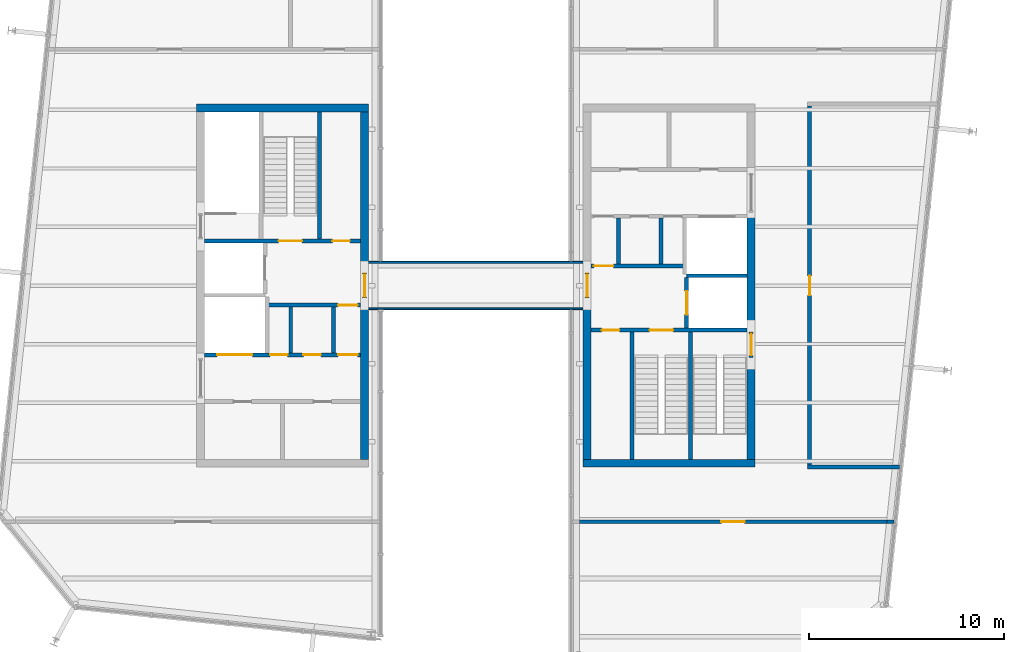
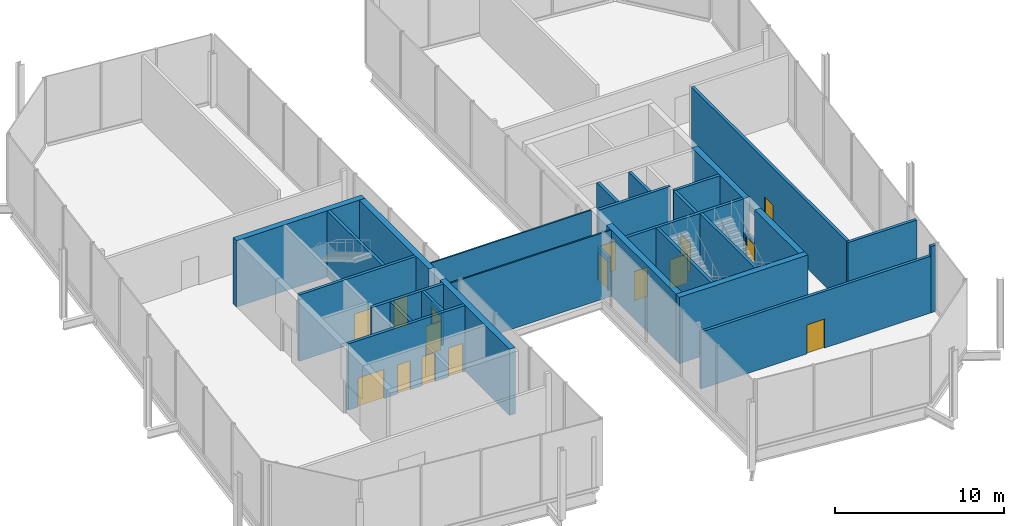
# One storey, part 9 of 12: 30 walls, 16 doors, 16 openings.
"""IFC4 building model written with IfcOpenShell, lengths in metres."""

from ifc_helpers import new_model, si_unit, direction, frame, frame_2d, origin, place, context, subcontext, project, spatial, rectangle, extrude, material, layer, layer_set, type_object, element, fill, save


model = new_model("IFC4")

# Units and contexts
model_context = context("Model", 3, precision=1e-05, world=origin(), true_north=direction((0.0, 1.0)))
body_context = subcontext(model_context, "Body", "Model", "MODEL_VIEW")
ifc_project = project(units=[si_unit("LENGTHUNIT", "METRE"), si_unit("AREAUNIT", "SQUARE_METRE"), si_unit("VOLUMEUNIT", "CUBIC_METRE"), si_unit("PLANEANGLEUNIT", "RADIAN"), si_unit("MASSUNIT", "GRAM", prefix="KILO")], contexts=[model_context])

# Site, building, storey
site_placement = place(None, origin())
site = spatial("IfcSite", under=ifc_project, at=site_placement, CompositionType="ELEMENT")
building_placement = place(site_placement, origin())
building = spatial("IfcBuilding", under=site, at=building_placement, Name="Millrace Tower", CompositionType="ELEMENT")
storey_placement = place(building_placement, frame((0.0, 0.0, 347.10009765625)))
storey = spatial("IfcBuildingStorey", under=building, at=storey_placement, Name="L80", CompositionType="ELEMENT", Elevation=347.10009765625)

# Walls
ifc_material_1 = material(Name="Concrete C60", Category="concrete")
ifc_layer_1 = layer(ifc_material_1, 0.39990234375)
ifc_layer_set_1 = layer_set([ifc_layer_1], Name="Concrete C60")
wall_type_1 = type_object("IfcWallType", Name="Core wall 400 Concrete C60", PredefinedType="SHEAR", material=ifc_layer_set_1)
wall_1_placement = place(storey_placement, frame((-14.300048828125, 9.10009765625, 0.0), z_axis=(0.0, 0.0, 1.0), x_axis=(1.0, 0.0, 0.0)))
element("IfcWall", 1, at=wall_1_placement, inside=storey, type_object=wall_type_1, Name="Core wall W L80", PredefinedType="SHEAR", context=body_context, shape_type="SweptSolid", body=[
    extrude(rectangle(XDim=8.800048828125, YDim=0.39990234375, at=frame_2d((4.39990234375, 0.0))), origin(), (0.0, 0.0, 1.0), 4.7998046875),
])
for number, where, z_axis, x_axis, name in (
    (2, (-5.699951171875, -8.89990234375, 0.0), (0.0, 0.0, 1.0), (0.0, 1.0, 0.0), "Core wall W L80"),
    (3, (-5.699951171875, 0.64990234375, 0.0), (0.0, 0.0, 1.0), (0.0, 1.0, 0.0), "Core wall W L80"),
):
    element("IfcWall", number, at=place(storey_placement, frame(where, z_axis=z_axis, x_axis=x_axis)), inside=storey, type_object=wall_type_1, Name=name, PredefinedType="SHEAR", context=body_context, shape_type="SweptSolid", body=[
        extrude(rectangle(XDim=8.25, YDim=0.39990234375, at=frame_2d((4.125, 0.0))), origin(), (0.0, 0.0, 1.0), 4.7998046875),
    ])
wall_2_placement = place(storey_placement, frame((14.300048828125, -9.10009765625, 0.0), z_axis=(0.0, 0.0, 1.0), x_axis=(-1.0, 0.0, 0.0)))
element("IfcWall", 4, at=wall_2_placement, inside=storey, type_object=wall_type_1, Name="Core wall E L80", PredefinedType="SHEAR", context=body_context, shape_type="SweptSolid", body=[
    extrude(rectangle(XDim=8.800048828125, YDim=0.39990234375, at=frame_2d((4.39990234375, 0.0))), origin(), (0.0, 0.0, 1.0), 4.7998046875),
])
wall_3_placement = place(storey_placement, frame((14.10009765625, 3.75, 0.0), z_axis=(0.0, 0.0, 1.0), x_axis=(0.0, -1.0, 0.0)))
element("IfcWall", 5, at=wall_3_placement, inside=storey, type_object=wall_type_1, Name="Core wall E L80", PredefinedType="SHEAR", context=body_context, shape_type="SweptSolid", body=[
    extrude(rectangle(XDim=6.1298828125, YDim=0.39990234375, at=frame_2d((3.06494140625, 0.0))), origin(), (0.0, 0.0, 1.0), 4.7998046875),
])
wall_4_placement = place(storey_placement, frame((14.10009765625, -3.679931640625, 0.0), z_axis=(0.0, 0.0, 1.0), x_axis=(0.0, -1.0, 0.0)))
element("IfcWall", 6, at=wall_4_placement, inside=storey, type_object=wall_type_1, Name="Core wall E L80", PredefinedType="SHEAR", context=body_context, shape_type="SweptSolid", body=[
    extrude(rectangle(XDim=5.219970703125, YDim=0.39990234375, at=frame_2d((2.60986328125, 0.0))), origin(), (0.0, 0.0, 1.0), 4.7998046875),
])
wall_5_placement = place(storey_placement, frame((5.699951171875, -0.64990234375, 0.0), z_axis=(0.0, 0.0, 1.0), x_axis=(0.0, -1.0, 0.0)))
element("IfcWall", 7, at=wall_5_placement, inside=storey, type_object=wall_type_1, Name="Core wall E L80", PredefinedType="SHEAR", context=body_context, shape_type="SweptSolid", body=[
    extrude(rectangle(XDim=8.25, YDim=0.39990234375, at=frame_2d((4.125, 0.0))), origin(), (0.0, 0.0, 1.0), 4.7998046875),
])

# Wall, opening, door
ifc_material_2 = material(Name="Masonry partition, fire-rated", Category="masonry")
ifc_layer_2 = layer(ifc_material_2, 0.199951171875)
ifc_layer_set_2 = layer_set([ifc_layer_2], Name="Masonry partition, fire-rated")
wall_type_2 = type_object("IfcWallType", Name="Corridor wall 200", PredefinedType="PARTITIONING", material=ifc_layer_set_2)
wall_6_placement = place(storey_placement, frame((5.307373046875, -12.10009765625, 0.0), z_axis=(0.0, 0.0, 1.0), x_axis=(1.0, 0.0, 0.0)))
wall_6 = element("IfcWall", 8, at=wall_6_placement, inside=storey, type_object=wall_type_2, Name="Corridor wall L80", PredefinedType="PARTITIONING", context=body_context, shape_type="SweptSolid", body=[
    extrude(rectangle(XDim=15.740478515625, YDim=0.199951171875, at=frame_2d((7.8701171875, 0.0))), origin(), (0.0, 0.0, 1.0), 4.1064453125),
])
opening_1_placement = place(wall_6_placement, frame((7.265869140625, 0.0, 0.0)))
opening_1 = element("IfcOpeningElement", 9, at=opening_1_placement, cuts=wall_6, Name="Opening 80-P007", PredefinedType="OPENING", context=body_context, shape_type="SweptSolid", body=[
    extrude(rectangle(XDim=1.199951171875, YDim=2.10009765625, at=frame_2d((0.60009765625, 1.050048828125))), frame((0.0, 0.10986328125, 0.0), z_axis=(0.0, -1.0, 0.0), x_axis=(1.0, 0.0, 0.0)), (0.0, 0.0, 1.0), 0.219970703125),
])
ifc_material_3 = material(Name="Steel door set, fire-rated", Category="steel")
door_type_1 = type_object("IfcDoorType", Name="Plant room door 1200 x 2100", OperationType="SINGLE_SWING_LEFT", PredefinedType="DOOR", material=ifc_material_3)
door_1_placement = place(opening_1_placement, frame((1.199951171875, 0.0, 0.0), z_axis=(0.0, 0.0, 1.0), x_axis=(-1.0, 0.0, 0.0)))
door_1 = element("IfcDoor", 10, at=door_1_placement, inside=storey, type_object=door_type_1, Name="Door 80-P007", OperationType="SINGLE_SWING_RIGHT", OverallHeight=2.10009765625, OverallWidth=1.199951171875, PredefinedType="DOOR", context=body_context, shape_type="SweptSolid", body=[
    extrude(rectangle(XDim=1.199951171875, YDim=2.10009765625, at=frame_2d((0.60009765625, 1.050048828125))), frame((0.0, 0.02490234375, 0.0), z_axis=(0.0, -1.0, 0.0), x_axis=(1.0, 0.0, 0.0)), (0.0, 0.0, 1.0), 0.050048828125),
])
fill(opening_1, door_1)

# Walls
wall_7_placement = place(storey_placement, frame((21.0478515625, -12.10009765625, 0.0), z_axis=(0.0, 0.0, 1.0), x_axis=(1.0, 0.0, 0.0)))
element("IfcWall", 11, at=wall_7_placement, inside=storey, type_object=wall_type_2, Name="Corridor wall L80", PredefinedType="PARTITIONING", context=body_context, shape_type="SweptSolid", body=[
    extrude(rectangle(XDim=0.35888671875, YDim=0.199951171875, at=frame_2d((0.179443359375, 0.0))), origin(), (0.0, 0.0, 1.0), 4.7998046875),
])
wall_8_placement = place(storey_placement, frame((17.0, -9.300048828125, 0.0), z_axis=(0.0, 0.0, 1.0), x_axis=(1.0, 0.0, 0.0)))
element("IfcWall", 12, at=wall_8_placement, inside=storey, type_object=wall_type_2, Name="Corridor wall L80", PredefinedType="PARTITIONING", context=body_context, shape_type="SweptSolid", body=[
    extrude(rectangle(XDim=4.700927734375, YDim=0.199951171875, at=frame_2d((2.3505859375, 0.0))), origin(), (0.0, 0.0, 1.0), 4.7998046875),
])

# Wall, opening, door
wall_9_placement = place(storey_placement, frame((17.10009765625, -9.199951171875, 0.0), z_axis=(0.0, 0.0, 1.0), x_axis=(0.0, 1.0, 0.0)))
wall_9 = element("IfcWall", 13, at=wall_9_placement, inside=storey, type_object=wall_type_2, Name="Corridor wall L80", PredefinedType="PARTITIONING", context=body_context, shape_type="SweptSolid", body=[
    extrude(rectangle(XDim=18.39990234375, YDim=0.199951171875, at=frame_2d((9.199951171875, 0.0))), origin(), (0.0, 0.0, 1.0), 4.7998046875),
])
opening_2_placement = place(wall_9_placement, frame((8.699951171875, 0.0, 0.0)))
opening_2 = element("IfcOpeningElement", 14, at=opening_2_placement, cuts=wall_9, Name="Opening 80-P006", PredefinedType="OPENING", context=body_context, shape_type="SweptSolid", body=[
    extrude(rectangle(XDim=1.0, YDim=2.10009765625, at=frame_2d((0.5, 1.050048828125))), frame((0.0, 0.10986328125, 0.0), z_axis=(0.0, -1.0, 0.0), x_axis=(1.0, 0.0, 0.0)), (0.0, 0.0, 1.0), 0.219970703125),
])
ifc_material_4 = material(Name="Steel door set, fire-rated", Category="steel")
door_type_2 = type_object("IfcDoorType", Name="Corridor door 1000 x 2100", OperationType="SINGLE_SWING_LEFT", PredefinedType="DOOR", material=ifc_material_4)
door_2_placement = place(opening_2_placement, frame((1.0, 0.0, 0.0), z_axis=(0.0, 0.0, 1.0), x_axis=(-1.0, 0.0, 0.0)))
door_2 = element("IfcDoor", 15, at=door_2_placement, inside=storey, type_object=door_type_2, Name="Door 80-P006", OperationType="SINGLE_SWING_RIGHT", OverallHeight=2.10009765625, OverallWidth=1.0, PredefinedType="DOOR", context=body_context, shape_type="SweptSolid", body=[
    extrude(rectangle(XDim=1.0, YDim=2.10009765625, at=frame_2d((0.5, 1.050048828125))), frame((0.0, 0.02490234375, 0.0), z_axis=(0.0, -1.0, 0.0), x_axis=(1.0, 0.0, 0.0)), (0.0, 0.0, 1.0), 0.050048828125),
])
fill(opening_2, door_2)

# Walls
ifc_material_5 = material(Name="Fire-resistant glazing", Category="glass")
ifc_layer_3 = layer(ifc_material_5, 0.10009765625)
ifc_layer_set_3 = layer_set([ifc_layer_3], Name="Fire-resistant glazing")
wall_type_3 = type_object("IfcWallType", Name="Glazed fire screen 100", PredefinedType="PARTITIONING", material=ifc_layer_set_3)
for number, where, z_axis, x_axis, name in (
    (16, (-5.5, -1.18994140625, 0.0), (0.0, 0.0, 1.0), (1.0, 0.0, 0.0), "Crown link glazed wall L80"),
    (17, (-5.5, 1.18994140625, 0.0), (0.0, 0.0, 1.0), (1.0, 0.0, 0.0), "Crown link glazed wall L80"),
):
    element("IfcWall", number, at=place(storey_placement, frame(where, z_axis=z_axis, x_axis=x_axis)), inside=storey, type_object=wall_type_3, Name=name, PredefinedType="PARTITIONING", context=body_context, shape_type="SweptSolid", body=[
        extrude(rectangle(XDim=11.0, YDim=0.10009765625, at=frame_2d((5.5, 0.0))), origin(), (0.0, 0.0, 1.0), 4.7998046875),
    ])

# Wall, openings, doors
ifc_material_6 = material(Name="Masonry partition, fire-rated", Category="masonry")
ifc_layer_4 = layer(ifc_material_6, 0.199951171875)
ifc_layer_set_4 = layer_set([ifc_layer_4], Name="Masonry partition, fire-rated")
wall_type_4 = type_object("IfcWallType", Name="Lift shaft wall 200", PredefinedType="PARTITIONING", material=ifc_layer_set_4)
wall_10_placement = place(storey_placement, frame((-13.89990234375, -3.550048828125, 0.0), z_axis=(0.0, 0.0, 1.0), x_axis=(1.0, 0.0, 0.0)))
wall_10 = element("IfcWall", 18, at=wall_10_placement, inside=storey, type_object=wall_type_4, Name="Lift shaft wall W L80", PredefinedType="PARTITIONING", context=body_context, shape_type="SweptSolid", body=[
    extrude(rectangle(XDim=8.0, YDim=0.199951171875, at=frame_2d((4.0, 0.0))), origin(), (0.0, 0.0, 1.0), 4.7998046875),
])
opening_3_placement = place(wall_10_placement, frame((0.64990234375, 0.0, 0.0)))
opening_3 = element("IfcOpeningElement", 19, at=opening_3_placement, cuts=wall_10, Name="Opening 80-LD05", PredefinedType="OPENING", context=body_context, shape_type="SweptSolid", body=[
    extrude(rectangle(XDim=1.800048828125, YDim=2.10009765625, at=frame_2d((0.89990234375, 1.050048828125))), frame((0.0, 0.10986328125, 0.0), z_axis=(0.0, -1.0, 0.0), x_axis=(1.0, 0.0, 0.0)), (0.0, 0.0, 1.0), 0.219970703125),
])
opening_4_placement = place(wall_10_placement, frame((3.360107421875, 0.0, 0.0)))
opening_4 = element("IfcOpeningElement", 20, at=opening_4_placement, cuts=wall_10, Name="Opening 80-C006", PredefinedType="OPENING", context=body_context, shape_type="SweptSolid", body=[
    extrude(rectangle(XDim=0.89990234375, YDim=2.10009765625, at=frame_2d((0.449951171875, 1.050048828125))), frame((0.0, 0.10986328125, 0.0), z_axis=(0.0, -1.0, 0.0), x_axis=(1.0, 0.0, 0.0)), (0.0, 0.0, 1.0), 0.219970703125),
])
opening_5_placement = place(wall_10_placement, frame((5.06005859375, 0.0, 0.0)))
opening_5 = element("IfcOpeningElement", 21, at=opening_5_placement, cuts=wall_10, Name="Opening 80-C007", PredefinedType="OPENING", context=body_context, shape_type="SweptSolid", body=[
    extrude(rectangle(XDim=0.89990234375, YDim=2.10009765625, at=frame_2d((0.449951171875, 1.050048828125))), frame((0.0, 0.10986328125, 0.0), z_axis=(0.0, -1.0, 0.0), x_axis=(1.0, 0.0, 0.0)), (0.0, 0.0, 1.0), 0.219970703125),
])
opening_6_placement = place(wall_10_placement, frame((6.85009765625, 0.0, 0.0)))
opening_6 = element("IfcOpeningElement", 22, at=opening_6_placement, cuts=wall_10, Name="Opening 80-C008", PredefinedType="OPENING", context=body_context, shape_type="SweptSolid", body=[
    extrude(rectangle(XDim=1.0, YDim=2.10009765625, at=frame_2d((0.5, 1.050048828125))), frame((0.0, 0.10986328125, 0.0), z_axis=(0.0, -1.0, 0.0), x_axis=(1.0, 0.0, 0.0)), (0.0, 0.0, 1.0), 0.219970703125),
])
ifc_material_7 = material(Name="Stainless steel, fire-rated", Category="steel")
door_type_3 = type_object("IfcDoorType", Name="Lift landing door 1800 x 2100", OperationType="DOUBLE_DOOR_SLIDING", PredefinedType="DOOR", material=ifc_material_7)
door_3_placement = place(opening_3_placement, origin())
door_3 = element("IfcDoor", 23, at=door_3_placement, inside=storey, type_object=door_type_3, Name="Lift landing door LF5 L80", OperationType="DOUBLE_DOOR_SLIDING", OverallHeight=2.10009765625, OverallWidth=1.800048828125, PredefinedType="DOOR", context=body_context, shape_type="SweptSolid", body=[
    extrude(rectangle(XDim=1.800048828125, YDim=2.10009765625, at=frame_2d((0.89990234375, 1.050048828125))), frame((0.0, 0.02490234375, 0.0), z_axis=(0.0, -1.0, 0.0), x_axis=(1.0, 0.0, 0.0)), (0.0, 0.0, 1.0), 0.050048828125),
])
fill(opening_3, door_3)
ifc_material_8 = material(Name="Steel door, fire-rated", Category="steel")
door_type_4 = type_object("IfcDoorType", Name="Lobby door 1000 x 2100", OperationType="SINGLE_SWING_LEFT", PredefinedType="DOOR", material=ifc_material_8)
door_4_placement = place(opening_6_placement, origin())
door_4 = element("IfcDoor", 24, at=door_4_placement, inside=storey, type_object=door_type_4, Name="Lobby door 80-C008", OperationType="SINGLE_SWING_LEFT", OverallHeight=2.10009765625, OverallWidth=1.0, PredefinedType="DOOR", context=body_context, shape_type="SweptSolid", body=[
    extrude(rectangle(XDim=1.0, YDim=2.10009765625, at=frame_2d((0.5, 1.050048828125))), frame((0.0, 0.02490234375, 0.0), z_axis=(0.0, -1.0, 0.0), x_axis=(1.0, 0.0, 0.0)), (0.0, 0.0, 1.0), 0.050048828125),
])
fill(opening_6, door_4)
ifc_material_9 = material(Name="Steel door, fire-rated", Category="steel")
door_type_5 = type_object("IfcDoorType", Name="Service room door 900 x 2100", OperationType="SINGLE_SWING_LEFT", PredefinedType="DOOR", material=ifc_material_9)
door_5_placement = place(opening_4_placement, origin())
door_5 = element("IfcDoor", 25, at=door_5_placement, inside=storey, type_object=door_type_5, Name="Service room door 80-C006", OperationType="SINGLE_SWING_LEFT", OverallHeight=2.10009765625, OverallWidth=0.89990234375, PredefinedType="DOOR", context=body_context, shape_type="SweptSolid", body=[
    extrude(rectangle(XDim=0.89990234375, YDim=2.10009765625, at=frame_2d((0.449951171875, 1.050048828125))), frame((0.0, 0.02490234375, 0.0), z_axis=(0.0, -1.0, 0.0), x_axis=(1.0, 0.0, 0.0)), (0.0, 0.0, 1.0), 0.050048828125),
])
fill(opening_4, door_5)
door_6_placement = place(opening_5_placement, origin())
door_6 = element("IfcDoor", 26, at=door_6_placement, inside=storey, type_object=door_type_5, Name="Service room door 80-C007", OperationType="SINGLE_SWING_RIGHT", OverallHeight=2.10009765625, OverallWidth=0.89990234375, PredefinedType="DOOR", context=body_context, shape_type="SweptSolid", body=[
    extrude(rectangle(XDim=0.89990234375, YDim=2.10009765625, at=frame_2d((0.449951171875, 1.050048828125))), frame((0.0, 0.02490234375, 0.0), z_axis=(0.0, -1.0, 0.0), x_axis=(1.0, 0.0, 0.0)), (0.0, 0.0, 1.0), 0.050048828125),
])
fill(opening_5, door_6)

# Wall, opening, door
wall_11_placement = place(storey_placement, frame((-10.800048828125, -1.0, 0.0), z_axis=(0.0, 0.0, 1.0), x_axis=(1.0, 0.0, 0.0)))
wall_11 = element("IfcWall", 27, at=wall_11_placement, inside=storey, type_object=wall_type_4, Name="Lift shaft wall W L80", PredefinedType="PARTITIONING", context=body_context, shape_type="SweptSolid", body=[
    extrude(rectangle(XDim=4.900146484375, YDim=0.199951171875, at=frame_2d((2.4501953125, 0.0))), origin(), (0.0, 0.0, 1.0), 4.7998046875),
])
opening_7_placement = place(wall_11_placement, frame((3.75, 0.0, 0.0)))
opening_7 = element("IfcOpeningElement", 28, at=opening_7_placement, cuts=wall_11, Name="Opening 80-C009", PredefinedType="OPENING", context=body_context, shape_type="SweptSolid", body=[
    extrude(rectangle(XDim=1.0, YDim=2.10009765625, at=frame_2d((0.5, 1.050048828125))), frame((0.0, 0.10986328125, 0.0), z_axis=(0.0, -1.0, 0.0), x_axis=(1.0, 0.0, 0.0)), (0.0, 0.0, 1.0), 0.219970703125),
])
door_7_placement = place(opening_7_placement, origin())
door_7 = element("IfcDoor", 29, at=door_7_placement, inside=storey, type_object=door_type_4, Name="Lobby door 80-C009", OperationType="SINGLE_SWING_LEFT", OverallHeight=2.10009765625, OverallWidth=1.0, PredefinedType="DOOR", context=body_context, shape_type="SweptSolid", body=[
    extrude(rectangle(XDim=1.0, YDim=2.10009765625, at=frame_2d((0.5, 1.050048828125))), frame((0.0, 0.02490234375, 0.0), z_axis=(0.0, -1.0, 0.0), x_axis=(1.0, 0.0, 0.0)), (0.0, 0.0, 1.0), 0.050048828125),
])
fill(opening_7, door_7)

# Walls
wall_12_placement = place(storey_placement, frame((-7.300048828125, -3.449951171875, 0.0), z_axis=(0.0, 0.0, 1.0), x_axis=(0.0, 1.0, 0.0)))
element("IfcWall", 30, at=wall_12_placement, inside=storey, type_object=wall_type_4, Name="Lift shaft wall W L80", PredefinedType="PARTITIONING", context=body_context, shape_type="SweptSolid", body=[
    extrude(rectangle(XDim=2.349853515625, YDim=0.199951171875, at=frame_2d((1.1748046875, 0.0))), origin(), (0.0, 0.0, 1.0), 4.7998046875),
])
wall_13_placement = place(storey_placement, frame((13.89990234375, 0.5, 0.0), z_axis=(0.0, 0.0, 1.0), x_axis=(-1.0, 0.0, 0.0)))
element("IfcWall", 31, at=wall_13_placement, inside=storey, type_object=wall_type_4, Name="Lift shaft wall E L80", PredefinedType="PARTITIONING", context=body_context, shape_type="SweptSolid", body=[
    extrude(rectangle(XDim=3.099853515625, YDim=0.199951171875, at=frame_2d((1.5498046875, 0.0))), origin(), (0.0, 0.0, 1.0), 4.7998046875),
])

# Wall, opening, door
wall_14_placement = place(storey_placement, frame((10.800048828125, 1.0, 0.0), z_axis=(0.0, 0.0, 1.0), x_axis=(-1.0, 0.0, 0.0)))
wall_14 = element("IfcWall", 32, at=wall_14_placement, inside=storey, type_object=wall_type_4, Name="Lift shaft wall E L80", PredefinedType="PARTITIONING", context=body_context, shape_type="SweptSolid", body=[
    extrude(rectangle(XDim=4.900146484375, YDim=0.199951171875, at=frame_2d((2.4501953125, 0.0))), origin(), (0.0, 0.0, 1.0), 4.7998046875),
])
opening_8_placement = place(wall_14_placement, frame((3.75, 0.0, 0.0)))
opening_8 = element("IfcOpeningElement", 33, at=opening_8_placement, cuts=wall_14, Name="Opening 80-C020", PredefinedType="OPENING", context=body_context, shape_type="SweptSolid", body=[
    extrude(rectangle(XDim=1.0, YDim=2.10009765625, at=frame_2d((0.5, 1.050048828125))), frame((0.0, 0.10986328125, 0.0), z_axis=(0.0, -1.0, 0.0), x_axis=(1.0, 0.0, 0.0)), (0.0, 0.0, 1.0), 0.219970703125),
])
door_8_placement = place(opening_8_placement, origin())
door_8 = element("IfcDoor", 34, at=door_8_placement, inside=storey, type_object=door_type_4, Name="Lobby door 80-C020", OperationType="SINGLE_SWING_LEFT", OverallHeight=2.10009765625, OverallWidth=1.0, PredefinedType="DOOR", context=body_context, shape_type="SweptSolid", body=[
    extrude(rectangle(XDim=1.0, YDim=2.10009765625, at=frame_2d((0.5, 1.050048828125))), frame((0.0, 0.02490234375, 0.0), z_axis=(0.0, -1.0, 0.0), x_axis=(1.0, 0.0, 0.0)), (0.0, 0.0, 1.0), 0.050048828125),
])
fill(opening_8, door_8)

wall_15_placement = place(storey_placement, frame((10.800048828125, 0.39990234375, 0.0), z_axis=(0.0, 0.0, 1.0), x_axis=(0.0, -1.0, 0.0)))
wall_15 = element("IfcWall", 35, at=wall_15_placement, inside=storey, type_object=wall_type_4, Name="Lift shaft wall E L80", PredefinedType="PARTITIONING", context=body_context, shape_type="SweptSolid", body=[
    extrude(rectangle(XDim=2.579833984375, YDim=0.199951171875, at=frame_2d((1.2900390625, 0.0))), origin(), (0.0, 0.0, 1.0), 4.7998046875),
])
opening_9_placement = place(wall_15_placement, frame((0.68994140625, 0.0, 0.0)))
opening_9 = element("IfcOpeningElement", 36, at=opening_9_placement, cuts=wall_15, Name="Opening 80-LD16", PredefinedType="OPENING", context=body_context, shape_type="SweptSolid", body=[
    extrude(rectangle(XDim=1.199951171875, YDim=2.10009765625, at=frame_2d((0.60009765625, 1.050048828125))), frame((0.0, 0.10986328125, 0.0), z_axis=(0.0, -1.0, 0.0), x_axis=(1.0, 0.0, 0.0)), (0.0, 0.0, 1.0), 0.219970703125),
])
ifc_material_10 = material(Name="Stainless steel, fire-rated", Category="steel")
door_type_6 = type_object("IfcDoorType", Name="Lift landing door 1200 x 2100", OperationType="DOUBLE_DOOR_SLIDING", PredefinedType="DOOR", material=ifc_material_10)
door_9_placement = place(opening_9_placement, origin())
door_9 = element("IfcDoor", 37, at=door_9_placement, inside=storey, type_object=door_type_6, Name="Lift landing door LF16 L80", OperationType="DOUBLE_DOOR_SLIDING", OverallHeight=2.10009765625, OverallWidth=1.199951171875, PredefinedType="DOOR", context=body_context, shape_type="SweptSolid", body=[
    extrude(rectangle(XDim=1.199951171875, YDim=2.10009765625, at=frame_2d((0.60009765625, 1.050048828125))), frame((0.0, 0.02490234375, 0.0), z_axis=(0.0, -1.0, 0.0), x_axis=(1.0, 0.0, 0.0)), (0.0, 0.0, 1.0), 0.050048828125),
])
fill(opening_9, door_9)

# Wall
wall_16_placement = place(storey_placement, frame((7.300048828125, 3.449951171875, 0.0), z_axis=(0.0, 0.0, 1.0), x_axis=(0.0, -1.0, 0.0)))
element("IfcWall", 38, at=wall_16_placement, inside=storey, type_object=wall_type_4, Name="Lift shaft wall E L80", PredefinedType="PARTITIONING", context=body_context, shape_type="SweptSolid", body=[
    extrude(rectangle(XDim=2.349853515625, YDim=0.199951171875, at=frame_2d((1.1748046875, 0.0))), origin(), (0.0, 0.0, 1.0), 4.7998046875),
])

# Wall, opening, door
ifc_material_11 = material(Name="Masonry partition, fire-rated", Category="masonry")
ifc_layer_5 = layer(ifc_material_11, 0.199951171875)
ifc_layer_set_5 = layer_set([ifc_layer_5], Name="Masonry partition, fire-rated")
wall_type_5 = type_object("IfcWallType", Name="Lobby wall 200", PredefinedType="PARTITIONING", material=ifc_layer_set_5)
wall_17_placement = place(storey_placement, frame((-5.699951171875, -0.64990234375, 0.0), z_axis=(0.0, 0.0, 1.0), x_axis=(0.0, 1.0, 0.0)))
wall_17 = element("IfcWall", 39, at=wall_17_placement, inside=storey, type_object=wall_type_5, Name="Lobby wall W L80", PredefinedType="PARTITIONING", context=body_context, shape_type="SweptSolid", body=[
    extrude(rectangle(XDim=1.2998046875, YDim=0.199951171875, at=frame_2d((0.64990234375, 0.0))), origin(), (0.0, 0.0, 1.0), 2.39990234375),
])
opening_10_placement = place(wall_17_placement, frame((0.050048828125, 0.0, 0.0)))
opening_10 = element("IfcOpeningElement", 40, at=opening_10_placement, cuts=wall_17, Name="Opening 80-C003", PredefinedType="OPENING", context=body_context, shape_type="SweptSolid", body=[
    extrude(rectangle(XDim=1.199951171875, YDim=2.10009765625, at=frame_2d((0.60009765625, 1.050048828125))), frame((0.0, 0.10986328125, 0.0), z_axis=(0.0, -1.0, 0.0), x_axis=(1.0, 0.0, 0.0)), (0.0, 0.0, 1.0), 0.219970703125),
])
ifc_material_12 = material(Name="Steel door, fire-rated", Category="steel")
door_type_7 = type_object("IfcDoorType", Name="Lobby door 1200 x 2100", OperationType="SINGLE_SWING_LEFT", PredefinedType="DOOR", material=ifc_material_12)
door_10_placement = place(opening_10_placement, origin())
door_10 = element("IfcDoor", 41, at=door_10_placement, inside=storey, type_object=door_type_7, Name="Lobby door 80-C003", OperationType="SINGLE_SWING_LEFT", OverallHeight=2.10009765625, OverallWidth=1.199951171875, PredefinedType="DOOR", context=body_context, shape_type="SweptSolid", body=[
    extrude(rectangle(XDim=1.199951171875, YDim=2.10009765625, at=frame_2d((0.60009765625, 1.050048828125))), frame((0.0, 0.02490234375, 0.0), z_axis=(0.0, -1.0, 0.0), x_axis=(1.0, 0.0, 0.0)), (0.0, 0.0, 1.0), 0.050048828125),
])
fill(opening_10, door_10)

wall_18_placement = place(storey_placement, frame((5.699951171875, 0.64990234375, 0.0), z_axis=(0.0, 0.0, 1.0), x_axis=(0.0, -1.0, 0.0)))
wall_18 = element("IfcWall", 42, at=wall_18_placement, inside=storey, type_object=wall_type_5, Name="Lobby wall E L80", PredefinedType="PARTITIONING", context=body_context, shape_type="SweptSolid", body=[
    extrude(rectangle(XDim=1.2998046875, YDim=0.199951171875, at=frame_2d((0.64990234375, 0.0))), origin(), (0.0, 0.0, 1.0), 2.39990234375),
])
opening_11_placement = place(wall_18_placement, frame((0.050048828125, 0.0, 0.0)))
opening_11 = element("IfcOpeningElement", 43, at=opening_11_placement, cuts=wall_18, Name="Opening 80-C014", PredefinedType="OPENING", context=body_context, shape_type="SweptSolid", body=[
    extrude(rectangle(XDim=1.199951171875, YDim=2.10009765625, at=frame_2d((0.60009765625, 1.050048828125))), frame((0.0, 0.10986328125, 0.0), z_axis=(0.0, -1.0, 0.0), x_axis=(1.0, 0.0, 0.0)), (0.0, 0.0, 1.0), 0.219970703125),
])
door_11_placement = place(opening_11_placement, origin())
door_11 = element("IfcDoor", 44, at=door_11_placement, inside=storey, type_object=door_type_7, Name="Lobby door 80-C014", OperationType="SINGLE_SWING_LEFT", OverallHeight=2.10009765625, OverallWidth=1.199951171875, PredefinedType="DOOR", context=body_context, shape_type="SweptSolid", body=[
    extrude(rectangle(XDim=1.199951171875, YDim=2.10009765625, at=frame_2d((0.60009765625, 1.050048828125))), frame((0.0, 0.02490234375, 0.0), z_axis=(0.0, -1.0, 0.0), x_axis=(1.0, 0.0, 0.0)), (0.0, 0.0, 1.0), 0.050048828125),
])
fill(opening_11, door_11)

# Walls
ifc_material_13 = material(Name="Masonry partition, fire-rated", Category="masonry")
ifc_layer_6 = layer(ifc_material_13, 0.199951171875)
ifc_layer_set_6 = layer_set([ifc_layer_6], Name="Masonry partition, fire-rated")
wall_type_6 = type_object("IfcWallType", Name="Room partition 200", PredefinedType="PARTITIONING", material=ifc_layer_set_6)
for number, where, z_axis, x_axis, name in (
    (45, (-9.47998046875, -3.449951171875, 0.0), (0.0, 0.0, 1.0), (0.0, 1.0, 0.0), "Room partition W L80"),
    (46, (9.47998046875, 3.449951171875, 0.0), (0.0, 0.0, 1.0), (0.0, -1.0, 0.0), "Room partition E L80"),
):
    element("IfcWall", number, at=place(storey_placement, frame(where, z_axis=z_axis, x_axis=x_axis)), inside=storey, type_object=wall_type_6, Name=name, PredefinedType="PARTITIONING", context=body_context, shape_type="SweptSolid", body=[
        extrude(rectangle(XDim=2.349853515625, YDim=0.199951171875, at=frame_2d((1.1748046875, 0.0))), origin(), (0.0, 0.0, 1.0), 4.7998046875),
    ])

# Wall, openings, doors
ifc_material_14 = material(Name="Concrete C40", Category="concrete")
ifc_layer_7 = layer(ifc_material_14, 0.199951171875)
ifc_layer_set_7 = layer_set([ifc_layer_7], Name="Concrete C40")
wall_type_7 = type_object("IfcWallType", Name="Stair enclosure wall 200 Concrete C40", PredefinedType="SHEAR", material=ifc_layer_set_7)
wall_19_placement = place(storey_placement, frame((-13.89990234375, 2.280029296875, 0.0), z_axis=(0.0, 0.0, 1.0), x_axis=(1.0, 0.0, 0.0)))
wall_19 = element("IfcWall", 47, at=wall_19_placement, inside=storey, type_object=wall_type_7, Name="Stair enclosure wall W L80", PredefinedType="SHEAR", context=body_context, shape_type="SweptSolid", body=[
    extrude(rectangle(XDim=8.0, YDim=0.199951171875, at=frame_2d((4.0, 0.0))), origin(), (0.0, 0.0, 1.0), 4.7998046875),
])
opening_12_placement = place(wall_19_placement, frame((3.800048828125, 0.0, 0.0)))
opening_12 = element("IfcOpeningElement", 48, at=opening_12_placement, cuts=wall_19, Name="Opening 80-C010", PredefinedType="OPENING", context=body_context, shape_type="SweptSolid", body=[
    extrude(rectangle(XDim=1.199951171875, YDim=2.10009765625, at=frame_2d((0.60009765625, 1.050048828125))), frame((0.0, 0.10986328125, 0.0), z_axis=(0.0, -1.0, 0.0), x_axis=(1.0, 0.0, 0.0)), (0.0, 0.0, 1.0), 0.219970703125),
])
opening_13_placement = place(wall_19_placement, frame((6.550048828125, 0.0, 0.0)))
opening_13 = element("IfcOpeningElement", 49, at=opening_13_placement, cuts=wall_19, Name="Opening 80-C011", PredefinedType="OPENING", context=body_context, shape_type="SweptSolid", body=[
    extrude(rectangle(XDim=0.89990234375, YDim=2.10009765625, at=frame_2d((0.449951171875, 1.050048828125))), frame((0.0, 0.10986328125, 0.0), z_axis=(0.0, -1.0, 0.0), x_axis=(1.0, 0.0, 0.0)), (0.0, 0.0, 1.0), 0.219970703125),
])
door_12_placement = place(opening_13_placement, origin())
door_12 = element("IfcDoor", 50, at=door_12_placement, inside=storey, type_object=door_type_5, Name="Service room door 80-C011", OperationType="SINGLE_SWING_RIGHT", OverallHeight=2.10009765625, OverallWidth=0.89990234375, PredefinedType="DOOR", context=body_context, shape_type="SweptSolid", body=[
    extrude(rectangle(XDim=0.89990234375, YDim=2.10009765625, at=frame_2d((0.449951171875, 1.050048828125))), frame((0.0, 0.02490234375, 0.0), z_axis=(0.0, -1.0, 0.0), x_axis=(1.0, 0.0, 0.0)), (0.0, 0.0, 1.0), 0.050048828125),
])
fill(opening_13, door_12)
ifc_material_15 = material(Name="Steel door, fire-rated", Category="steel")
door_type_8 = type_object("IfcDoorType", Name="Stair door 1200 x 2100", OperationType="SINGLE_SWING_LEFT", PredefinedType="DOOR", material=ifc_material_15)
door_13_placement = place(opening_12_placement, frame((1.199951171875, 0.0, 0.0), z_axis=(0.0, 0.0, 1.0), x_axis=(-1.0, 0.0, 0.0)))
door_13 = element("IfcDoor", 51, at=door_13_placement, inside=storey, type_object=door_type_8, Name="Stair door 80-C010", OperationType="SINGLE_SWING_LEFT", OverallHeight=2.10009765625, OverallWidth=1.199951171875, PredefinedType="DOOR", context=body_context, shape_type="SweptSolid", body=[
    extrude(rectangle(XDim=1.199951171875, YDim=2.10009765625, at=frame_2d((0.60009765625, 1.050048828125))), frame((0.0, 0.02490234375, 0.0), z_axis=(0.0, -1.0, 0.0), x_axis=(1.0, 0.0, 0.0)), (0.0, 0.0, 1.0), 0.050048828125),
])
fill(opening_12, door_13)

# Wall
wall_20_placement = place(storey_placement, frame((-8.0, 2.3798828125, 0.0), z_axis=(0.0, 0.0, 1.0), x_axis=(0.0, 1.0, 0.0)))
element("IfcWall", 52, at=wall_20_placement, inside=storey, type_object=wall_type_7, Name="Stair enclosure wall W L80", PredefinedType="SHEAR", context=body_context, shape_type="SweptSolid", body=[
    extrude(rectangle(XDim=6.52001953125, YDim=0.199951171875, at=frame_2d((3.260009765625, 0.0))), origin(), (0.0, 0.0, 1.0), 4.7998046875),
])

# Wall, opening, door
wall_21_placement = place(storey_placement, frame((14.10009765625, -2.3798828125, 0.0), z_axis=(0.0, 0.0, 1.0), x_axis=(0.0, -1.0, 0.0)))
wall_21 = element("IfcWall", 53, at=wall_21_placement, inside=storey, type_object=wall_type_7, Name="Stair enclosure wall E L80", PredefinedType="SHEAR", context=body_context, shape_type="SweptSolid", body=[
    extrude(rectangle(XDim=1.300048828125, YDim=0.199951171875, at=frame_2d((0.64990234375, 0.0))), origin(), (0.0, 0.0, 1.0), 2.39990234375),
])
opening_14_placement = place(wall_21_placement, frame((0.10009765625, 0.0, 0.0)))
opening_14 = element("IfcOpeningElement", 54, at=opening_14_placement, cuts=wall_21, Name="Opening 80-C013", PredefinedType="OPENING", context=body_context, shape_type="SweptSolid", body=[
    extrude(rectangle(XDim=1.10009765625, YDim=2.10009765625, at=frame_2d((0.550048828125, 1.050048828125))), frame((0.0, 0.10986328125, 0.0), z_axis=(0.0, -1.0, 0.0), x_axis=(1.0, 0.0, 0.0)), (0.0, 0.0, 1.0), 0.219970703125),
])
ifc_material_16 = material(Name="Steel door, fire-rated", Category="steel")
door_type_9 = type_object("IfcDoorType", Name="Stair door 1100 x 2100", OperationType="SINGLE_SWING_LEFT", PredefinedType="DOOR", material=ifc_material_16)
door_14_placement = place(opening_14_placement, origin())
door_14 = element("IfcDoor", 55, at=door_14_placement, inside=storey, type_object=door_type_9, Name="Stair door 80-C013", OperationType="SINGLE_SWING_RIGHT", OverallHeight=2.10009765625, OverallWidth=1.10009765625, PredefinedType="DOOR", context=body_context, shape_type="SweptSolid", body=[
    extrude(rectangle(XDim=1.10009765625, YDim=2.10009765625, at=frame_2d((0.550048828125, 1.050048828125))), frame((0.0, 0.02490234375, 0.0), z_axis=(0.0, -1.0, 0.0), x_axis=(1.0, 0.0, 0.0)), (0.0, 0.0, 1.0), 0.050048828125),
])
fill(opening_14, door_14)

# Wall, openings, doors
wall_22_placement = place(storey_placement, frame((13.89990234375, -2.280029296875, 0.0), z_axis=(0.0, 0.0, 1.0), x_axis=(-1.0, 0.0, 0.0)))
wall_22 = element("IfcWall", 56, at=wall_22_placement, inside=storey, type_object=wall_type_7, Name="Stair enclosure wall E L80", PredefinedType="SHEAR", context=body_context, shape_type="SweptSolid", body=[
    extrude(rectangle(XDim=8.0, YDim=0.199951171875, at=frame_2d((4.0, 0.0))), origin(), (0.0, 0.0, 1.0), 4.7998046875),
])
opening_15_placement = place(wall_22_placement, frame((3.800048828125, 0.0, 0.0)))
opening_15 = element("IfcOpeningElement", 57, at=opening_15_placement, cuts=wall_22, Name="Opening 80-C021", PredefinedType="OPENING", context=body_context, shape_type="SweptSolid", body=[
    extrude(rectangle(XDim=1.199951171875, YDim=2.10009765625, at=frame_2d((0.60009765625, 1.050048828125))), frame((0.0, 0.10986328125, 0.0), z_axis=(0.0, -1.0, 0.0), x_axis=(1.0, 0.0, 0.0)), (0.0, 0.0, 1.0), 0.219970703125),
])
opening_16_placement = place(wall_22_placement, frame((6.550048828125, 0.0, 0.0)))
opening_16 = element("IfcOpeningElement", 58, at=opening_16_placement, cuts=wall_22, Name="Opening 80-C022", PredefinedType="OPENING", context=body_context, shape_type="SweptSolid", body=[
    extrude(rectangle(XDim=0.89990234375, YDim=2.10009765625, at=frame_2d((0.449951171875, 1.050048828125))), frame((0.0, 0.10986328125, 0.0), z_axis=(0.0, -1.0, 0.0), x_axis=(1.0, 0.0, 0.0)), (0.0, 0.0, 1.0), 0.219970703125),
])
door_15_placement = place(opening_16_placement, origin())
door_15 = element("IfcDoor", 59, at=door_15_placement, inside=storey, type_object=door_type_5, Name="Service room door 80-C022", OperationType="SINGLE_SWING_RIGHT", OverallHeight=2.10009765625, OverallWidth=0.89990234375, PredefinedType="DOOR", context=body_context, shape_type="SweptSolid", body=[
    extrude(rectangle(XDim=0.89990234375, YDim=2.10009765625, at=frame_2d((0.449951171875, 1.050048828125))), frame((0.0, 0.02490234375, 0.0), z_axis=(0.0, -1.0, 0.0), x_axis=(1.0, 0.0, 0.0)), (0.0, 0.0, 1.0), 0.050048828125),
])
fill(opening_16, door_15)
door_16_placement = place(opening_15_placement, frame((1.199951171875, 0.0, 0.0), z_axis=(0.0, 0.0, 1.0), x_axis=(-1.0, 0.0, 0.0)))
door_16 = element("IfcDoor", 60, at=door_16_placement, inside=storey, type_object=door_type_8, Name="Stair door 80-C021", OperationType="SINGLE_SWING_LEFT", OverallHeight=2.10009765625, OverallWidth=1.199951171875, PredefinedType="DOOR", context=body_context, shape_type="SweptSolid", body=[
    extrude(rectangle(XDim=1.199951171875, YDim=2.10009765625, at=frame_2d((0.60009765625, 1.050048828125))), frame((0.0, 0.02490234375, 0.0), z_axis=(0.0, -1.0, 0.0), x_axis=(1.0, 0.0, 0.0)), (0.0, 0.0, 1.0), 0.050048828125),
])
fill(opening_15, door_16)

# Walls
for number, where, z_axis, x_axis, name in (
    (61, (11.0, -2.3798828125, 0.0), (0.0, 0.0, 1.0), (0.0, -1.0, 0.0), "Stair enclosure wall E L80"),
    (62, (8.0, -2.3798828125, 0.0), (0.0, 0.0, 1.0), (0.0, -1.0, 0.0), "Stair enclosure wall E L80"),
):
    element("IfcWall", number, at=place(storey_placement, frame(where, z_axis=z_axis, x_axis=x_axis)), inside=storey, type_object=wall_type_7, Name=name, PredefinedType="SHEAR", context=body_context, shape_type="SweptSolid", body=[
        extrude(rectangle(XDim=6.52001953125, YDim=0.199951171875, at=frame_2d((3.260009765625, 0.0))), origin(), (0.0, 0.0, 1.0), 4.7998046875),
    ])

save(model, "model.ifc")
